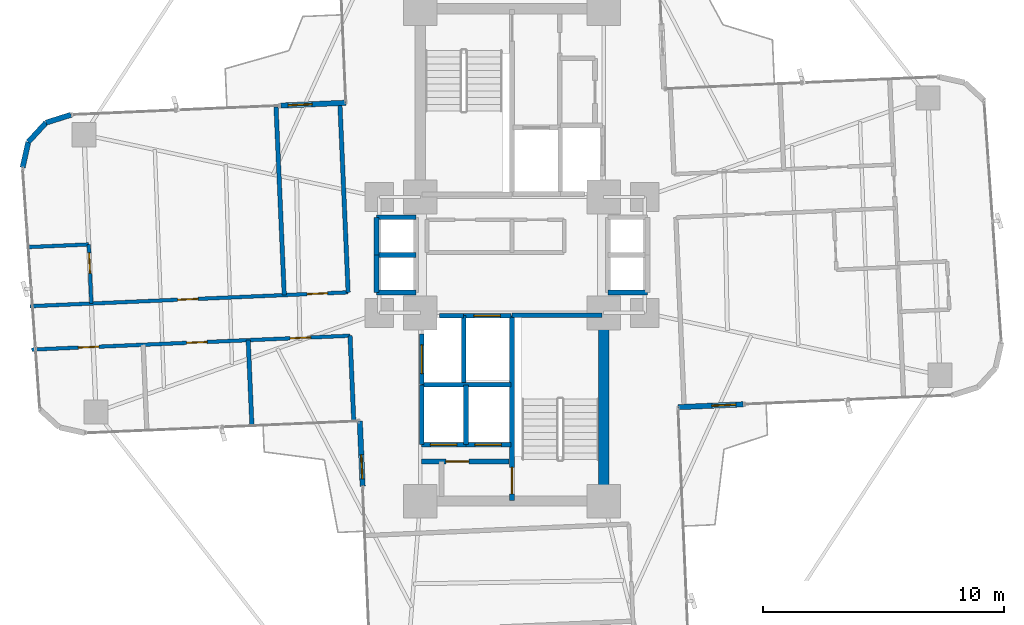
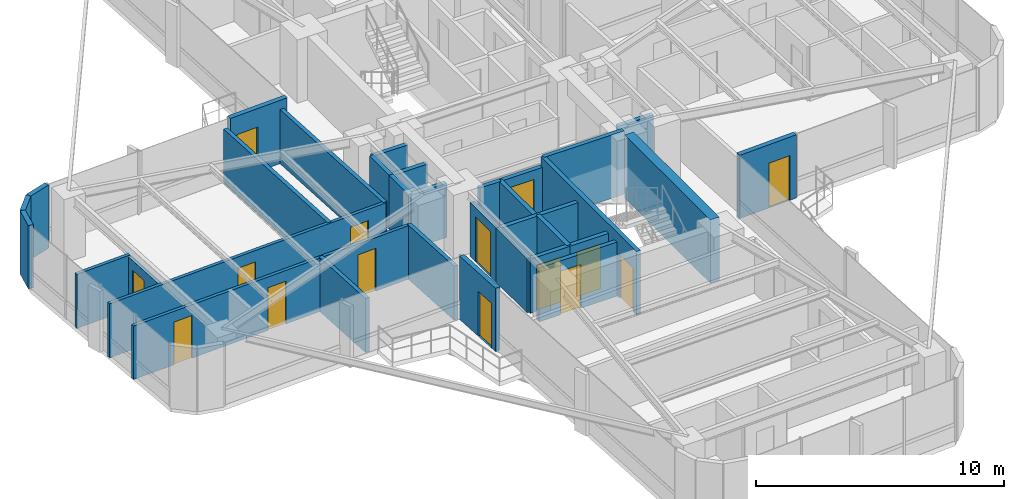
# One storey, part 23 of 26: 33 walls, 15 doors, 15 openings.
"""IFC4 building model written with IfcOpenShell, lengths in metres."""

from ifc_helpers import new_model, si_unit, direction, frame, frame_2d, origin, origin_2d, place, context, subcontext, project, spatial, rectangle, extrude, source, transform, mapped, material, layer, layer_set, type_object, element, fill, save


model = new_model("IFC4")

# Units and contexts
model_context = context("Model", 3, precision=1e-05, world=origin(), true_north=direction((0.0, 1.0)))
body_context = subcontext(model_context, "Body", "Model", "MODEL_VIEW")
ifc_project = project(units=[si_unit("LENGTHUNIT", "METRE"), si_unit("AREAUNIT", "SQUARE_METRE"), si_unit("VOLUMEUNIT", "CUBIC_METRE"), si_unit("PLANEANGLEUNIT", "RADIAN"), si_unit("MASSUNIT", "GRAM", prefix="KILO")], contexts=[model_context])

# Site, building, storey
site_placement = place(None, origin())
site = spatial("IfcSite", under=ifc_project, at=site_placement, CompositionType="ELEMENT")
building_placement = place(site_placement, origin())
building = spatial("IfcBuilding", under=site, at=building_placement, Name="Sahyath Konkavel Grand Hotel", CompositionType="ELEMENT")
storey_placement = place(building_placement, frame((0.0, 0.0, 114.800048828125)))
storey = spatial("IfcBuildingStorey", under=building, at=storey_placement, Name="L31", CompositionType="ELEMENT", Elevation=114.800048828125)

# Wall
ifc_material_1 = material(Name="Concrete C50/60", Category="concrete")
ifc_layer_1 = layer(ifc_material_1, 0.419921875)
ifc_layer_set_1 = layer_set([ifc_layer_1], Name="Concrete C50/60")
wall_type_1 = type_object("IfcWallType", Name="CWALL-420", PredefinedType="SHEAR", material=ifc_layer_set_1)
wall_1_placement = place(storey_placement, frame((3.800048828125, -9.75, 0.0), z_axis=(0.0, 0.0, 1.0), x_axis=(0.0, 1.0, 0.0)))
element("IfcWall", 1, at=wall_1_placement, inside=storey, type_object=wall_type_1, Name="L31 South Core Shear Wall E", PredefinedType="SHEAR", context=body_context, shape_type="SweptSolid", body=[
    extrude(rectangle(XDim=6.89990234375, YDim=0.419921875, at=frame_2d((3.449951171875, 0.0))), origin(), (0.0, 0.0, 1.0), 3.10986328125),
])

# Wall, opening, door
ifc_material_2 = material(Name="Warm Buff Sandstone Insulated Concrete C40/50", Category="masonry")
ifc_layer_2 = layer(ifc_material_2, 0.219970703125)
ifc_layer_set_2 = layer_set([ifc_layer_2], Name="Warm Buff Sandstone Insulated Concrete C40/50")
wall_type_2 = type_object("IfcWallType", Name="WLL-BALC-THRESH", PredefinedType="STANDARD", material=ifc_layer_set_2)
wall_2_placement = place(storey_placement, frame((6.881591796875, -6.305908203125, 0.0), z_axis=(0.0, 0.0, 1.0), x_axis=(0.999045894436, 0.043672655174, 0.0)))
wall_2 = element("IfcWall", 2, at=wall_2_placement, inside=storey, type_object=wall_type_2, Name="L31 Winter-Garden Threshold Wall 0", PredefinedType="STANDARD", context=body_context, shape_type="SweptSolid", body=[
    extrude(rectangle(XDim=2.7001953125, YDim=0.219970703125, at=frame_2d((1.35009765625, 0.0))), origin(), (0.0, 0.0, 1.0), 3.10986328125),
])
opening_1_placement = place(wall_2_placement, frame((1.39990234375, 0.0, 0.0)))
opening_1 = element("IfcOpeningElement", 3, at=opening_1_placement, cuts=wall_2, Name="Opening D-TR1", PredefinedType="OPENING", context=body_context, shape_type="SweptSolid", body=[
    extrude(rectangle(XDim=1.0, YDim=2.199951171875, at=frame_2d((0.5, 1.10009765625))), frame((0.0, 0.1201171875, 0.0), z_axis=(0.0, -1.0, 0.0), x_axis=(1.0, 0.0, 0.0)), (0.0, 0.0, 1.0), 0.239990234375),
])
ifc_material_3 = material(Name="Anodised Bronze Aluminium & Low-E Glazing", Category="aluminium")
door_type_1 = type_object("IfcDoorType", Name="DR-TERRACE-1000", OperationType="NOTDEFINED", PredefinedType="DOOR", material=ifc_material_3)
shared_shape_1 = source(origin(), body_context, "Body", "SweptSolid", [
    extrude(rectangle(XDim=1.0, YDim=0.050048828125, at=origin_2d()), origin(), (0.0, 0.0, 1.0), 2.199951171875),
])
door_1_placement = place(opening_1_placement, frame((0.5, 0.0, 0.0)))
door_1 = element("IfcDoor", 4, at=door_1_placement, inside=storey, type_object=door_type_1, Name="L31 Winter-Garden Terrace Door 0", OperationType="SINGLE_SWING_LEFT", OverallHeight=2.199951171875, OverallWidth=1.0, PredefinedType="DOOR", context=body_context, shape_type="MappedRepresentation", body=[
    mapped(shared_shape_1, transform((0.0, 0.0, 0.0), scale=1.0)),
])
fill(opening_1, door_1)

wall_3_placement = place(storey_placement, frame((-6.881591796875, 6.305908203125, 0.0), z_axis=(0.0, 0.0, 1.0), x_axis=(-0.999045894436, -0.043672655174, 0.0)))
wall_3 = element("IfcWall", 5, at=wall_3_placement, inside=storey, type_object=wall_type_2, Name="L31 Winter-Garden Threshold Wall 16", PredefinedType="STANDARD", context=body_context, shape_type="SweptSolid", body=[
    extrude(rectangle(XDim=2.7001953125, YDim=0.219970703125, at=frame_2d((1.35009765625, 0.0))), origin(), (0.0, 0.0, 1.0), 3.10986328125),
])
opening_2_placement = place(wall_3_placement, frame((1.39990234375, 0.0, 0.0)))
opening_2 = element("IfcOpeningElement", 6, at=opening_2_placement, cuts=wall_3, Name="Opening D-TR1", PredefinedType="OPENING", context=body_context, shape_type="SweptSolid", body=[
    extrude(rectangle(XDim=1.0, YDim=2.199951171875, at=frame_2d((0.5, 1.10009765625))), frame((0.0, 0.1201171875, 0.0), z_axis=(0.0, -1.0, 0.0), x_axis=(1.0, 0.0, 0.0)), (0.0, 0.0, 1.0), 0.239990234375),
])
door_2_placement = place(opening_2_placement, frame((0.5, 0.0, 0.0)))
door_2 = element("IfcDoor", 7, at=door_2_placement, inside=storey, type_object=door_type_1, Name="L31 Winter-Garden Terrace Door 16", OperationType="SINGLE_SWING_LEFT", OverallHeight=2.199951171875, OverallWidth=1.0, PredefinedType="DOOR", context=body_context, shape_type="MappedRepresentation", body=[
    mapped(shared_shape_1, transform((0.0, 0.0, 0.0), scale=1.0)),
])
fill(opening_2, door_2)

# Walls
for number, where, z_axis, x_axis, name in (
    (8, (-18.270751953125, 5.80859375, 0.0), (0.0, 0.0, 1.0), (-0.953721713582, -0.30069069331, 0.0), "L31 Rounded Corner Sandstone Pier 17"),
    (9, (-19.3076171875, 5.481689453125, 0.0), (0.0, 0.0, 1.0), (-0.675551721847, -0.737312600672, 0.0), "L31 Rounded Corner Sandstone Pier 18"),
):
    element("IfcWall", number, at=place(storey_placement, frame(where, z_axis=z_axis, x_axis=x_axis)), inside=storey, type_object=wall_type_2, Name=name, PredefinedType="STANDARD", context=body_context, shape_type="SweptSolid", body=[
        extrude(rectangle(XDim=1.087158203125, YDim=0.219970703125, at=frame_2d((0.54345703125, 0.0))), origin(), (0.0, 0.0, 1.0), 3.10986328125),
    ])
wall_4_placement = place(storey_placement, frame((-20.0419921875, 4.68017578125, 0.0), z_axis=(0.0, 0.0, 1.0), x_axis=(-0.216288323511, -0.976329535102, 0.0)))
element("IfcWall", 10, at=wall_4_placement, inside=storey, type_object=wall_type_2, Name="L31 Rounded Corner Sandstone Pier 19", PredefinedType="STANDARD", context=body_context, shape_type="SweptSolid", body=[
    extrude(rectangle(XDim=1.0869140625, YDim=0.219970703125, at=frame_2d((0.54345703125, 0.0))), origin(), (0.0, 0.0, 1.0), 3.10986328125),
])

# Wall, opening, door
wall_5_placement = place(storey_placement, frame((-6.305908203125, -6.881591796875, 0.0), z_axis=(0.0, 0.0, 1.0), x_axis=(0.043672655174, -0.999045894436, 0.0)))
wall_5 = element("IfcWall", 11, at=wall_5_placement, inside=storey, type_object=wall_type_2, Name="L31 Winter-Garden Threshold Wall 24", PredefinedType="STANDARD", context=body_context, shape_type="SweptSolid", body=[
    extrude(rectangle(XDim=2.7001953125, YDim=0.219970703125, at=frame_2d((1.35009765625, 0.0))), origin(), (0.0, 0.0, 1.0), 3.10986328125),
])
opening_3_placement = place(wall_5_placement, frame((1.39990234375, 0.0, 0.0)))
opening_3 = element("IfcOpeningElement", 12, at=opening_3_placement, cuts=wall_5, Name="Opening D-TR1", PredefinedType="OPENING", context=body_context, shape_type="SweptSolid", body=[
    extrude(rectangle(XDim=1.0, YDim=2.199951171875, at=frame_2d((0.5, 1.10009765625))), frame((0.0, 0.1201171875, 0.0), z_axis=(0.0, -1.0, 0.0), x_axis=(1.0, 0.0, 0.0)), (0.0, 0.0, 1.0), 0.239990234375),
])
door_3_placement = place(opening_3_placement, frame((0.5, 0.0, 0.0)))
door_3 = element("IfcDoor", 13, at=door_3_placement, inside=storey, type_object=door_type_1, Name="L31 Winter-Garden Terrace Door 24", OperationType="SINGLE_SWING_LEFT", OverallHeight=2.199951171875, OverallWidth=1.0, PredefinedType="DOOR", context=body_context, shape_type="MappedRepresentation", body=[
    mapped(shared_shape_1, transform((0.0, 0.0, 0.0), scale=1.0)),
])
fill(opening_3, door_3)

ifc_material_4 = material(Name="Concrete C40/50", Category="concrete")
ifc_layer_3 = layer(ifc_material_4, 0.199951171875)
ifc_layer_set_3 = layer_set([ifc_layer_3], Name="Concrete C40/50")
wall_type_3 = type_object("IfcWallType", Name="WLL-CORE-200", PredefinedType="SOLIDWALL", material=ifc_layer_set_3)
wall_6_placement = place(storey_placement, frame((0.0, -10.179931640625, 0.0), z_axis=(0.0, 0.0, 1.0), x_axis=(0.0, 1.0, 0.0)))
wall_6 = element("IfcWall", 14, at=wall_6_placement, inside=storey, type_object=wall_type_3, Name="L31 Stair ST-2 Shaft Wall W", PredefinedType="SOLIDWALL", context=body_context, shape_type="SweptSolid", body=[
    extrude(rectangle(XDim=7.679931640625, YDim=0.199951171875, at=frame_2d((3.83984375, 0.0))), origin(), (0.0, 0.0, 1.0), 3.10986328125),
])
opening_4_placement = place(wall_6_placement, frame((0.280029296875, 0.0, 0.0)))
opening_4 = element("IfcOpeningElement", 15, at=opening_4_placement, cuts=wall_6, Name="Opening D-F12B", PredefinedType="OPENING", context=body_context, shape_type="SweptSolid", body=[
    extrude(rectangle(XDim=1.10009765625, YDim=2.14990234375, at=frame_2d((0.550048828125, 1.074951171875))), frame((0.0, 0.10986328125, 0.0), z_axis=(0.0, -1.0, 0.0), x_axis=(1.0, 0.0, 0.0)), (0.0, 0.0, 1.0), 0.219970703125),
])
ifc_material_5 = material(Name="Steel E350 Smokeproof Fire Door", Category="steel")
door_type_2 = type_object("IfcDoorType", Name="DR-FD120-1100", OperationType="NOTDEFINED", PredefinedType="DOOR", material=ifc_material_5)
shared_shape_2 = source(origin(), body_context, "Body", "SweptSolid", [
    extrude(rectangle(XDim=1.10009765625, YDim=0.050048828125, at=origin_2d()), origin(), (0.0, 0.0, 1.0), 2.14990234375),
])
door_4_placement = place(opening_4_placement, frame((0.550048828125, 0.0, 0.0)))
door_4 = element("IfcDoor", 16, at=door_4_placement, inside=storey, type_object=door_type_2, Name="L31 Stair ST-2 Fire Door", OperationType="SINGLE_SWING_RIGHT", OverallHeight=2.14990234375, OverallWidth=1.10009765625, PredefinedType="DOOR", context=body_context, shape_type="MappedRepresentation", body=[
    mapped(shared_shape_2, transform((0.0, 0.0, 0.0), scale=1.0)),
])
fill(opening_4, door_4)

# Walls
wall_7_placement = place(storey_placement, frame((0.0, -2.5, 0.0), z_axis=(0.0, 0.0, 1.0), x_axis=(1.0, 0.0, 0.0)))
element("IfcWall", 17, at=wall_7_placement, inside=storey, type_object=wall_type_3, Name="L31 Stair ST-2 Shaft Wall N", PredefinedType="SOLIDWALL", context=body_context, shape_type="SweptSolid", body=[
    extrude(rectangle(XDim=3.719970703125, YDim=0.199951171875, at=frame_2d((1.85986328125, 0.0))), origin(), (0.0, 0.0, 1.0), 3.10986328125),
])
wall_8_placement = place(storey_placement, frame((-2.0, -5.280029296875, 0.0), z_axis=(0.0, 0.0, 1.0), x_axis=(0.0, 1.0, 0.0)))
element("IfcWall", 18, at=wall_8_placement, inside=storey, type_object=wall_type_3, Name="L31 Partition SH-FFL2-W", PredefinedType="SOLIDWALL", context=body_context, shape_type="SweptSolid", body=[
    extrude(rectangle(XDim=2.780029296875, YDim=0.199951171875, at=frame_2d((1.39013671875, 0.0))), origin(), (0.0, 0.0, 1.0), 2.659912109375),
])

# Wall, opening, door
wall_9_placement = place(storey_placement, frame((-2.0, -2.52001953125, 0.0), z_axis=(0.0, 0.0, 1.0), x_axis=(1.0, 0.0, 0.0)))
wall_9 = element("IfcWall", 19, at=wall_9_placement, inside=storey, type_object=wall_type_3, Name="L31 Partition SH-FFL2-N", PredefinedType="SOLIDWALL", context=body_context, shape_type="SweptSolid", body=[
    extrude(rectangle(XDim=1.949951171875, YDim=0.199951171875, at=frame_2d((0.97509765625, 0.0))), origin(), (0.0, 0.0, 1.0), 2.659912109375),
])
opening_5_placement = place(wall_9_placement, frame((0.419921875, 0.0, 0.0)))
opening_5 = element("IfcOpeningElement", 20, at=opening_5_placement, cuts=wall_9, Name="Opening LD-11", PredefinedType="OPENING", context=body_context, shape_type="SweptSolid", body=[
    extrude(rectangle(XDim=1.10009765625, YDim=2.199951171875, at=frame_2d((0.550048828125, 1.10009765625))), frame((0.0, 0.10986328125, 0.0), z_axis=(0.0, -1.0, 0.0), x_axis=(1.0, 0.0, 0.0)), (0.0, 0.0, 1.0), 0.219970703125),
])
ifc_material_6 = material(Name="Bronze Lift Landing Door 1100")
door_type_3 = type_object("IfcDoorType", Name="DR-LIFT-1100", OperationType="DOUBLE_DOOR_SLIDING", PredefinedType="DOOR", material=ifc_material_6)
shared_shape_3 = source(origin(), body_context, "Body", "SweptSolid", [
    extrude(rectangle(XDim=1.10009765625, YDim=0.050048828125, at=origin_2d()), origin(), (0.0, 0.0, 1.0), 2.199951171875),
])
door_5_placement = place(opening_5_placement, frame((0.550048828125, 0.0, 0.0)))
door_5 = element("IfcDoor", 21, at=door_5_placement, inside=storey, type_object=door_type_3, Name="L31 Lift FFL-2 Landing Door", OperationType="DOUBLE_DOOR_SLIDING", OverallHeight=2.199951171875, OverallWidth=1.10009765625, PredefinedType="DOOR", context=body_context, shape_type="MappedRepresentation", body=[
    mapped(shared_shape_3, transform((0.0, 0.0, 0.0), scale=1.0)),
])
fill(opening_5, door_5)

# Wall
wall_10_placement = place(storey_placement, frame((-3.0, -2.52001953125, 0.0), z_axis=(0.0, 0.0, 1.0), x_axis=(1.0, 0.0, 0.0)))
element("IfcWall", 22, at=wall_10_placement, inside=storey, type_object=wall_type_3, Name="L31 Partition SH-SVL2-N", PredefinedType="SOLIDWALL", context=body_context, shape_type="SweptSolid", body=[
    extrude(rectangle(XDim=1.0, YDim=0.199951171875, at=frame_2d((0.5, 0.0))), origin(), (0.0, 0.0, 1.0), 2.659912109375),
])

# Wall, opening, door
wall_11_placement = place(storey_placement, frame((-3.739990234375, -5.360107421875, 0.0), z_axis=(0.0, 0.0, 1.0), x_axis=(0.0, 1.0, 0.0)))
wall_11 = element("IfcWall", 23, at=wall_11_placement, inside=storey, type_object=wall_type_3, Name="L31 Partition SH-SVL2-W", PredefinedType="SOLIDWALL", context=body_context, shape_type="SweptSolid", body=[
    extrude(rectangle(XDim=2.080078125, YDim=0.199951171875, at=frame_2d((1.0400390625, 0.0))), origin(), (0.0, 0.0, 1.0), 2.659912109375),
])
opening_6_placement = place(wall_11_placement, frame((0.43994140625, 0.0, 0.0)))
opening_6 = element("IfcOpeningElement", 24, at=opening_6_placement, cuts=wall_11, Name="Opening LD-12", PredefinedType="OPENING", context=body_context, shape_type="SweptSolid", body=[
    extrude(rectangle(XDim=1.199951171875, YDim=2.199951171875, at=frame_2d((0.60009765625, 1.10009765625))), frame((0.0, 0.10986328125, 0.0), z_axis=(0.0, -1.0, 0.0), x_axis=(1.0, 0.0, 0.0)), (0.0, 0.0, 1.0), 0.219970703125),
])
ifc_material_7 = material(Name="Stainless Steel Lift Landing Door 1200", Category="steel")
door_type_4 = type_object("IfcDoorType", Name="DR-LIFT-1200", OperationType="DOUBLE_DOOR_SLIDING", PredefinedType="DOOR", material=ifc_material_7)
shared_shape_4 = source(origin(), body_context, "Body", "SweptSolid", [
    extrude(rectangle(XDim=1.199951171875, YDim=0.050048828125, at=origin_2d()), origin(), (0.0, 0.0, 1.0), 2.199951171875),
])
door_6_placement = place(opening_6_placement, frame((0.60009765625, 0.0, 0.0)))
door_6 = element("IfcDoor", 25, at=door_6_placement, inside=storey, type_object=door_type_4, Name="L31 Service Lift SVL-2 Landing Door", OperationType="DOUBLE_DOOR_SLIDING", OverallHeight=2.199951171875, OverallWidth=1.199951171875, PredefinedType="DOOR", context=body_context, shape_type="MappedRepresentation", body=[
    mapped(shared_shape_4, transform((0.0, 0.0, 0.0), scale=1.0)),
])
fill(opening_6, door_6)

# Wall
wall_12_placement = place(storey_placement, frame((-3.739990234375, -7.860107421875, 0.0), z_axis=(0.0, 0.0, 1.0), x_axis=(0.0, 1.0, 0.0)))
element("IfcWall", 26, at=wall_12_placement, inside=storey, type_object=wall_type_3, Name="L31 Partition SH-PL3-W", PredefinedType="SOLIDWALL", context=body_context, shape_type="SweptSolid", body=[
    extrude(rectangle(XDim=2.480224609375, YDim=0.199951171875, at=frame_2d((1.240234375, 0.0))), origin(), (0.0, 0.0, 1.0), 2.659912109375),
])

# Wall, opening, door
wall_13_placement = place(storey_placement, frame((-3.739990234375, -7.860107421875, 0.0), z_axis=(0.0, 0.0, 1.0), x_axis=(1.0, 0.0, 0.0)))
wall_13 = element("IfcWall", 27, at=wall_13_placement, inside=storey, type_object=wall_type_3, Name="L31 Partition SH-PL3-S", PredefinedType="SOLIDWALL", context=body_context, shape_type="SweptSolid", body=[
    extrude(rectangle(XDim=1.840087890625, YDim=0.199951171875, at=frame_2d((0.919921875, 0.0))), origin(), (0.0, 0.0, 1.0), 2.659912109375),
])
opening_7_placement = place(wall_13_placement, frame((0.360107421875, 0.0, 0.0)))
opening_7 = element("IfcOpeningElement", 28, at=opening_7_placement, cuts=wall_13, Name="Opening LD-11", PredefinedType="OPENING", context=body_context, shape_type="SweptSolid", body=[
    extrude(rectangle(XDim=1.10009765625, YDim=2.199951171875, at=frame_2d((0.550048828125, 1.10009765625))), frame((0.0, 0.10986328125, 0.0), z_axis=(0.0, -1.0, 0.0), x_axis=(1.0, 0.0, 0.0)), (0.0, 0.0, 1.0), 0.219970703125),
])
door_7_placement = place(opening_7_placement, frame((0.550048828125, 0.0, 0.0)))
door_7 = element("IfcDoor", 29, at=door_7_placement, inside=storey, type_object=door_type_3, Name="L31 Passenger Lift PL-3 Landing Door", OperationType="DOUBLE_DOOR_SLIDING", OverallHeight=2.199951171875, OverallWidth=1.10009765625, PredefinedType="DOOR", context=body_context, shape_type="MappedRepresentation", body=[
    mapped(shared_shape_3, transform((0.0, 0.0, 0.0), scale=1.0)),
])
fill(opening_7, door_7)

# Walls
wall_14_placement = place(storey_placement, frame((-3.739990234375, -5.3798828125, 0.0), z_axis=(0.0, 0.0, 1.0), x_axis=(1.0, 0.0, 0.0)))
element("IfcWall", 30, at=wall_14_placement, inside=storey, type_object=wall_type_3, Name="L31 Partition SH-PL34-N", PredefinedType="SOLIDWALL", context=body_context, shape_type="SweptSolid", body=[
    extrude(rectangle(XDim=3.68994140625, YDim=0.199951171875, at=frame_2d((1.844970703125, 0.0))), origin(), (0.0, 0.0, 1.0), 2.659912109375),
])
wall_15_placement = place(storey_placement, frame((-1.89990234375, -7.860107421875, 0.0), z_axis=(0.0, 0.0, 1.0), x_axis=(0.0, 1.0, 0.0)))
element("IfcWall", 31, at=wall_15_placement, inside=storey, type_object=wall_type_3, Name="L31 Partition SH-PL34-M", PredefinedType="SOLIDWALL", context=body_context, shape_type="SweptSolid", body=[
    extrude(rectangle(XDim=2.480224609375, YDim=0.199951171875, at=frame_2d((1.240234375, 0.0))), origin(), (0.0, 0.0, 1.0), 2.659912109375),
])

# Wall, opening, door
wall_16_placement = place(storey_placement, frame((-1.89990234375, -7.860107421875, 0.0), z_axis=(0.0, 0.0, 1.0), x_axis=(1.0, 0.0, 0.0)))
wall_16 = element("IfcWall", 32, at=wall_16_placement, inside=storey, type_object=wall_type_3, Name="L31 Partition SH-PL4-S", PredefinedType="SOLIDWALL", context=body_context, shape_type="SweptSolid", body=[
    extrude(rectangle(XDim=1.849853515625, YDim=0.199951171875, at=frame_2d((0.9248046875, 0.0))), origin(), (0.0, 0.0, 1.0), 2.659912109375),
])
opening_8_placement = place(wall_16_placement, frame((0.360107421875, 0.0, 0.0)))
opening_8 = element("IfcOpeningElement", 33, at=opening_8_placement, cuts=wall_16, Name="Opening LD-11", PredefinedType="OPENING", context=body_context, shape_type="SweptSolid", body=[
    extrude(rectangle(XDim=1.10009765625, YDim=2.199951171875, at=frame_2d((0.550048828125, 1.10009765625))), frame((0.0, 0.10986328125, 0.0), z_axis=(0.0, -1.0, 0.0), x_axis=(1.0, 0.0, 0.0)), (0.0, 0.0, 1.0), 0.219970703125),
])
door_8_placement = place(opening_8_placement, frame((0.550048828125, 0.0, 0.0)))
door_8 = element("IfcDoor", 34, at=door_8_placement, inside=storey, type_object=door_type_3, Name="L31 Passenger Lift PL-4 Landing Door", OperationType="DOUBLE_DOOR_SLIDING", OverallHeight=2.199951171875, OverallWidth=1.10009765625, PredefinedType="DOOR", context=body_context, shape_type="MappedRepresentation", body=[
    mapped(shared_shape_3, transform((0.0, 0.0, 0.0), scale=1.0)),
])
fill(opening_8, door_8)

# Walls
for number, where, z_axis, x_axis, name in (
    (35, (3.97998046875, -1.56005859375, 0.0), (0.0, 0.0, 1.0), (1.0, 0.0, 0.0), "L31 Partition SH-PL56-S"),
    (36, (-5.6201171875, 1.56005859375, 0.0), (0.0, 0.0, 1.0), (1.0, 0.0, 0.0), "L31 Partition SH-SL12-N"),
    (37, (-5.6201171875, -1.56005859375, 0.0), (0.0, 0.0, 1.0), (1.0, 0.0, 0.0), "L31 Partition SH-SL12-S"),
    (38, (-5.6201171875, 0.0, 0.0), (0.0, 0.0, 1.0), (1.0, 0.0, 0.0), "L31 Partition SH-SL12-M"),
):
    element("IfcWall", number, at=place(storey_placement, frame(where, z_axis=z_axis, x_axis=x_axis)), inside=storey, type_object=wall_type_3, Name=name, PredefinedType="SOLIDWALL", context=body_context, shape_type="SweptSolid", body=[
        extrude(rectangle(XDim=1.64013671875, YDim=0.199951171875, at=frame_2d((0.820068359375, 0.0))), origin(), (0.0, 0.0, 1.0), 2.659912109375),
    ])
for number, where, z_axis, x_axis, name in (
    (39, (-5.6201171875, 0.0, 0.0), (0.0, 0.0, 1.0), (0.0, 1.0, 0.0), "L31 Partition SH-SL1-W"),
    (40, (-5.6201171875, -1.56005859375, 0.0), (0.0, 0.0, 1.0), (0.0, 1.0, 0.0), "L31 Partition SH-SL2-W"),
):
    element("IfcWall", number, at=place(storey_placement, frame(where, z_axis=z_axis, x_axis=x_axis)), inside=storey, type_object=wall_type_3, Name=name, PredefinedType="SOLIDWALL", context=body_context, shape_type="SweptSolid", body=[
        extrude(rectangle(XDim=1.56005859375, YDim=0.199951171875, at=frame_2d((0.780029296875, 0.0))), origin(), (0.0, 0.0, 1.0), 2.659912109375),
    ])

# Wall, opening, door
wall_17_placement = place(storey_placement, frame((-3.739990234375, -8.56005859375, 0.0), z_axis=(0.0, 0.0, 1.0), x_axis=(1.0, 0.0, 0.0)))
wall_17 = element("IfcWall", 41, at=wall_17_placement, inside=storey, type_object=wall_type_3, Name="L31 South FF Lobby Separation Wall", PredefinedType="SOLIDWALL", context=body_context, shape_type="SweptSolid", body=[
    extrude(rectangle(XDim=3.619873046875, YDim=0.199951171875, at=frame_2d((1.81005859375, 0.0))), origin(), (0.0, 0.0, 1.0), 2.659912109375),
])
opening_9_placement = place(wall_17_placement, frame((1.0, 0.0, 0.0)))
opening_9 = element("IfcOpeningElement", 42, at=opening_9_placement, cuts=wall_17, Name="Opening D-F12C", PredefinedType="OPENING", context=body_context, shape_type="SweptSolid", body=[
    extrude(rectangle(XDim=0.949951171875, YDim=2.14990234375, at=frame_2d((0.47509765625, 1.074951171875))), frame((0.0, 0.10986328125, 0.0), z_axis=(0.0, -1.0, 0.0), x_axis=(1.0, 0.0, 0.0)), (0.0, 0.0, 1.0), 0.219970703125),
])
ifc_material_8 = material(Name="Steel E350 Plant Fire Door", Category="steel")
door_type_5 = type_object("IfcDoorType", Name="DR-FD120-950", OperationType="NOTDEFINED", PredefinedType="DOOR", material=ifc_material_8)
shared_shape_5 = source(origin(), body_context, "Body", "SweptSolid", [
    extrude(rectangle(XDim=0.949951171875, YDim=0.050048828125, at=origin_2d()), origin(), (0.0, 0.0, 1.0), 2.14990234375),
])
door_9_placement = place(opening_9_placement, frame((0.47509765625, 0.0, 0.0)))
door_9 = element("IfcDoor", 43, at=door_9_placement, inside=storey, type_object=door_type_5, Name="L31 South Firefighting Lobby Door", OperationType="SINGLE_SWING_LEFT", OverallHeight=2.14990234375, OverallWidth=0.949951171875, PredefinedType="DOOR", context=body_context, shape_type="MappedRepresentation", body=[
    mapped(shared_shape_5, transform((0.0, 0.0, 0.0), scale=1.0)),
])
fill(opening_9, door_9)

# Walls
ifc_material_9 = material(Name="Twin-Stud Acoustic Gypsum Plasterboard Partition")
ifc_layer_4 = layer(ifc_material_9, 0.179931640625)
ifc_layer_set_4 = layer_set([ifc_layer_4], Name="Twin-Stud Acoustic Gypsum Plasterboard Partition")
wall_type_4 = type_object("IfcWallType", Name="WLL-DEMISE-180", PredefinedType="PARTITIONING", material=ifc_layer_set_4)
wall_18_placement = place(storey_placement, frame((-6.71044921875, -3.345947265625, 0.0), z_axis=(0.0, 0.0, 1.0), x_axis=(0.043597663116, -0.999049169846, 0.0)))
element("IfcWall", 44, at=wall_18_placement, inside=storey, type_object=wall_type_4, Name="L31 Partition W-INL", PredefinedType="PARTITIONING", context=body_context, shape_type="SweptSolid", body=[
    extrude(rectangle(XDim=3.5, YDim=0.179931640625, at=frame_2d((1.75, 0.0))), origin(), (0.0, 0.0, 1.0), 2.659912109375),
])
wall_19_placement = place(storey_placement, frame((-7.129150390625, 6.2451171875, 0.0), z_axis=(0.0, 0.0, 1.0), x_axis=(0.043600217373, -0.999049058378, 0.0)))
element("IfcWall", 45, at=wall_19_placement, inside=storey, type_object=wall_type_4, Name="L31 Partition W-INR", PredefinedType="PARTITIONING", context=body_context, shape_type="SweptSolid", body=[
    extrude(rectangle(XDim=7.800048828125, YDim=0.179931640625, at=frame_2d((3.89990234375, 0.0))), origin(), (0.0, 0.0, 1.0), 2.659912109375),
])
wall_20_placement = place(storey_placement, frame((-10.930419921875, -3.530029296875, 0.0), z_axis=(0.0, 0.0, 1.0), x_axis=(0.04359462501, -0.999049302422, 0.0)))
element("IfcWall", 46, at=wall_20_placement, inside=storey, type_object=wall_type_4, Name="L31 Partition W-W1L-DEM", PredefinedType="PARTITIONING", context=body_context, shape_type="SweptSolid", body=[
    extrude(rectangle(XDim=3.500244140625, YDim=0.179931640625, at=frame_2d((1.75, 0.0))), origin(), (0.0, 0.0, 1.0), 2.659912109375),
])
wall_21_placement = place(storey_placement, frame((-9.436279296875, -1.6630859375, 0.0), z_axis=(0.0, 0.0, 1.0), x_axis=(-0.043632821702, 0.999047634936, 0.0)))
element("IfcWall", 47, at=wall_21_placement, inside=storey, type_object=wall_type_4, Name="L31 Partition W-WHK-DEM", PredefinedType="PARTITIONING", context=body_context, shape_type="SweptSolid", body=[
    extrude(rectangle(XDim=7.7998046875, YDim=0.179931640625, at=frame_2d((3.89990234375, 0.0))), origin(), (0.0, 0.0, 1.0), 2.659912109375),
])

# Wall, openings, doors
ifc_material_10 = material(Name="Fire-Rated Gypsum Plasterboard Partition")
ifc_layer_5 = layer(ifc_material_10, 0.14990234375)
ifc_layer_set_5 = layer_set([ifc_layer_5], Name="Fire-Rated Gypsum Plasterboard Partition")
wall_type_5 = type_object("IfcWallType", Name="WLL-PART-150", PredefinedType="PARTITIONING", material=ifc_layer_set_5)
wall_22_placement = place(storey_placement, frame((-6.71044921875, -3.345947265625, 0.0), z_axis=(0.0, 0.0, 1.0), x_axis=(-0.999048535483, -0.04361219725, 0.0)))
wall_22 = element("IfcWall", 48, at=wall_22_placement, inside=storey, type_object=wall_type_5, Name="L31 Partition W-CL", PredefinedType="PARTITIONING", context=body_context, shape_type="SweptSolid", body=[
    extrude(rectangle(XDim=13.199951171875, YDim=0.14990234375, at=frame_2d((6.60009765625, 0.0))), origin(), (0.0, 0.0, 1.0), 2.6298828125),
])
opening_10_placement = place(wall_22_placement, frame((1.636962890625, 0.0, 0.0)))
opening_10 = element("IfcOpeningElement", 49, at=opening_10_placement, cuts=wall_22, Name="Opening D-F06D", PredefinedType="OPENING", context=body_context, shape_type="SweptSolid", body=[
    extrude(rectangle(XDim=0.85009765625, YDim=2.10009765625, at=frame_2d((0.425048828125, 1.050048828125))), frame((0.0, 0.0849609375, 0.0), z_axis=(0.0, -1.0, 0.0), x_axis=(1.0, 0.0, 0.0)), (0.0, 0.0, 1.0), 0.169921875),
])
opening_11_placement = place(wall_22_placement, frame((5.927001953125, 0.0, 0.0)))
opening_11 = element("IfcOpeningElement", 50, at=opening_11_placement, cuts=wall_22, Name="Opening D-F06D", PredefinedType="OPENING", context=body_context, shape_type="SweptSolid", body=[
    extrude(rectangle(XDim=0.85009765625, YDim=2.10009765625, at=frame_2d((0.425048828125, 1.050048828125))), frame((0.0, 0.0849609375, 0.0), z_axis=(0.0, -1.0, 0.0), x_axis=(1.0, 0.0, 0.0)), (0.0, 0.0, 1.0), 0.169921875),
])
opening_12_placement = place(wall_22_placement, frame((10.4150390625, 0.0, 0.0)))
opening_12 = element("IfcOpeningElement", 51, at=opening_12_placement, cuts=wall_22, Name="Opening D-F06D", PredefinedType="OPENING", context=body_context, shape_type="SweptSolid", body=[
    extrude(rectangle(XDim=0.85009765625, YDim=2.10009765625, at=frame_2d((0.425048828125, 1.050048828125))), frame((0.0, 0.0849609375, 0.0), z_axis=(0.0, -1.0, 0.0), x_axis=(1.0, 0.0, 0.0)), (0.0, 0.0, 1.0), 0.169921875),
])
ifc_material_11 = material(Name="Fire-Rated Shaft Access Door")
door_type_6 = type_object("IfcDoorType", Name="DR-FD60-850", OperationType="NOTDEFINED", PredefinedType="DOOR", material=ifc_material_11)
shared_shape_6 = source(origin(), body_context, "Body", "SweptSolid", [
    extrude(rectangle(XDim=0.85009765625, YDim=0.050048828125, at=origin_2d()), origin(), (0.0, 0.0, 1.0), 2.10009765625),
])
door_10_placement = place(opening_10_placement, frame((0.425048828125, 0.0, 0.0)))
door_10 = element("IfcDoor", 52, at=door_10_placement, inside=storey, type_object=door_type_6, Name="L31 Door W-W1L-D", OperationType="SINGLE_SWING_LEFT", OverallHeight=2.10009765625, OverallWidth=0.85009765625, PredefinedType="DOOR", context=body_context, shape_type="MappedRepresentation", body=[
    mapped(shared_shape_6, transform((0.0, 0.0, 0.0), scale=1.0)),
])
fill(opening_10, door_10)
door_11_placement = place(opening_11_placement, frame((0.425048828125, 0.0, 0.0)))
door_11 = element("IfcDoor", 53, at=door_11_placement, inside=storey, type_object=door_type_6, Name="L31 Door W-W2L-D", OperationType="SINGLE_SWING_RIGHT", OverallHeight=2.10009765625, OverallWidth=0.85009765625, PredefinedType="DOOR", context=body_context, shape_type="MappedRepresentation", body=[
    mapped(shared_shape_6, transform((0.0, 0.0, 0.0), scale=1.0)),
])
fill(opening_11, door_11)
door_12_placement = place(opening_12_placement, frame((0.425048828125, 0.0, 0.0)))
door_12 = element("IfcDoor", 54, at=door_12_placement, inside=storey, type_object=door_type_6, Name="L31 Door W-W3L-D", OperationType="SINGLE_SWING_LEFT", OverallHeight=2.10009765625, OverallWidth=0.85009765625, PredefinedType="DOOR", context=body_context, shape_type="MappedRepresentation", body=[
    mapped(shared_shape_6, transform((0.0, 0.0, 0.0), scale=1.0)),
])
fill(opening_12, door_12)

wall_23_placement = place(storey_placement, frame((-6.7890625, -1.547607421875, 0.0), z_axis=(0.0, 0.0, 1.0), x_axis=(-0.999048500303, -0.043613003123, 0.0)))
wall_23 = element("IfcWall", 55, at=wall_23_placement, inside=storey, type_object=wall_type_5, Name="L31 Partition W-CR", PredefinedType="PARTITIONING", context=body_context, shape_type="SweptSolid", body=[
    extrude(rectangle(XDim=13.19970703125, YDim=0.14990234375, at=frame_2d((6.599853515625, 0.0))), origin(), (0.0, 0.0, 1.0), 2.659912109375),
])
opening_13_placement = place(wall_23_placement, frame((0.85009765625, 0.0, 0.0)))
opening_13 = element("IfcOpeningElement", 56, at=opening_13_placement, cuts=wall_23, Name="Opening D-F06D", PredefinedType="OPENING", context=body_context, shape_type="SweptSolid", body=[
    extrude(rectangle(XDim=0.85009765625, YDim=2.10009765625, at=frame_2d((0.425048828125, 1.050048828125))), frame((0.0, 0.0849609375, 0.0), z_axis=(0.0, -1.0, 0.0), x_axis=(1.0, 0.0, 0.0)), (0.0, 0.0, 1.0), 0.169921875),
])
opening_14_placement = place(wall_23_placement, frame((6.22509765625, 0.0, 0.0)))
opening_14 = element("IfcOpeningElement", 57, at=opening_14_placement, cuts=wall_23, Name="Opening D-F06D", PredefinedType="OPENING", context=body_context, shape_type="SweptSolid", body=[
    extrude(rectangle(XDim=0.85009765625, YDim=2.10009765625, at=frame_2d((0.425048828125, 1.050048828125))), frame((0.0, 0.0849609375, 0.0), z_axis=(0.0, -1.0, 0.0), x_axis=(1.0, 0.0, 0.0)), (0.0, 0.0, 1.0), 0.169921875),
])
door_13_placement = place(opening_13_placement, frame((0.425048828125, 0.0, 0.0)))
door_13 = element("IfcDoor", 58, at=door_13_placement, inside=storey, type_object=door_type_6, Name="L31 Door W-WHK-D", OperationType="SINGLE_SWING_RIGHT", OverallHeight=2.10009765625, OverallWidth=0.85009765625, PredefinedType="DOOR", context=body_context, shape_type="MappedRepresentation", body=[
    mapped(shared_shape_6, transform((0.0, 0.0, 0.0), scale=1.0)),
])
fill(opening_13, door_13)
door_14_placement = place(opening_14_placement, frame((0.425048828125, 0.0, 0.0)))
door_14 = element("IfcDoor", 59, at=door_14_placement, inside=storey, type_object=door_type_6, Name="L31 Door W-W2R-ED", OperationType="SINGLE_SWING_RIGHT", OverallHeight=2.10009765625, OverallWidth=0.85009765625, PredefinedType="DOOR", context=body_context, shape_type="MappedRepresentation", body=[
    mapped(shared_shape_6, transform((0.0, 0.0, 0.0), scale=1.0)),
])
fill(opening_14, door_14)

# Wall, opening, door
wall_24_placement = place(storey_placement, frame((-17.4287109375, -2.01220703125, 0.0), z_axis=(0.0, 0.0, 1.0), x_axis=(-0.043644787072, 0.999047112283, 0.0)))
wall_24 = element("IfcWall", 60, at=wall_24_placement, inside=storey, type_object=wall_type_5, Name="L31 Partition W-W2R-BS", PredefinedType="PARTITIONING", context=body_context, shape_type="SweptSolid", body=[
    extrude(rectangle(XDim=2.4501953125, YDim=0.14990234375, at=frame_2d((1.22509765625, 0.0))), origin(), (0.0, 0.0, 1.0), 2.579833984375),
])
opening_15_placement = place(wall_24_placement, frame((1.25, 0.0, 0.0)))
opening_15 = element("IfcOpeningElement", 61, at=opening_15_placement, cuts=wall_24, Name="Opening D-BT85", PredefinedType="OPENING", context=body_context, shape_type="SweptSolid", body=[
    extrude(rectangle(XDim=0.85009765625, YDim=2.10009765625, at=frame_2d((0.425048828125, 1.050048828125))), frame((0.0, 0.0849609375, 0.0), z_axis=(0.0, -1.0, 0.0), x_axis=(1.0, 0.0, 0.0)), (0.0, 0.0, 1.0), 0.169921875),
])
ifc_material_12 = material(Name="Moisture-Resistant Teak Bathroom Door")
door_type_7 = type_object("IfcDoorType", Name="DR-BATH-850", OperationType="NOTDEFINED", PredefinedType="DOOR", material=ifc_material_12)
door_15_placement = place(opening_15_placement, frame((0.425048828125, 0.0, 0.0)))
door_15 = element("IfcDoor", 62, at=door_15_placement, inside=storey, type_object=door_type_7, Name="L31 Door W-W2R-BD", OperationType="SINGLE_SWING_LEFT", OverallHeight=2.10009765625, OverallWidth=0.85009765625, PredefinedType="DOOR", context=body_context, shape_type="MappedRepresentation", body=[
    mapped(shared_shape_6, transform((0.0, 0.0, 0.0), scale=1.0)),
])
fill(opening_15, door_15)

# Wall
wall_25_placement = place(storey_placement, frame((-17.53564453125, 0.435546875, 0.0), z_axis=(0.0, 0.0, 1.0), x_axis=(-0.999046560091, -0.043657425146, 0.0)))
element("IfcWall", 63, at=wall_25_placement, inside=storey, type_object=wall_type_5, Name="L31 Partition W-W2R-BF", PredefinedType="PARTITIONING", context=body_context, shape_type="SweptSolid", body=[
    extrude(rectangle(XDim=2.550048828125, YDim=0.14990234375, at=frame_2d((1.27490234375, 0.0))), origin(), (0.0, 0.0, 1.0), 2.659912109375),
])

save(model, "model.ifc")
